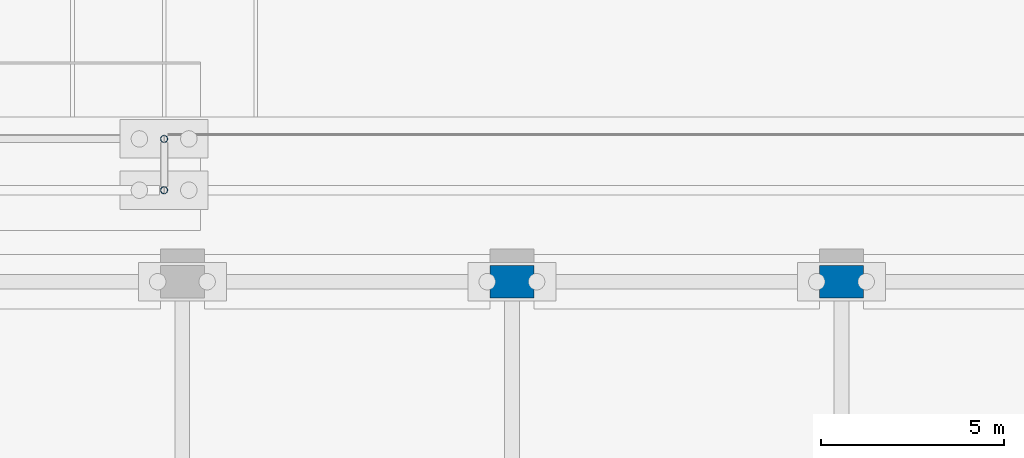
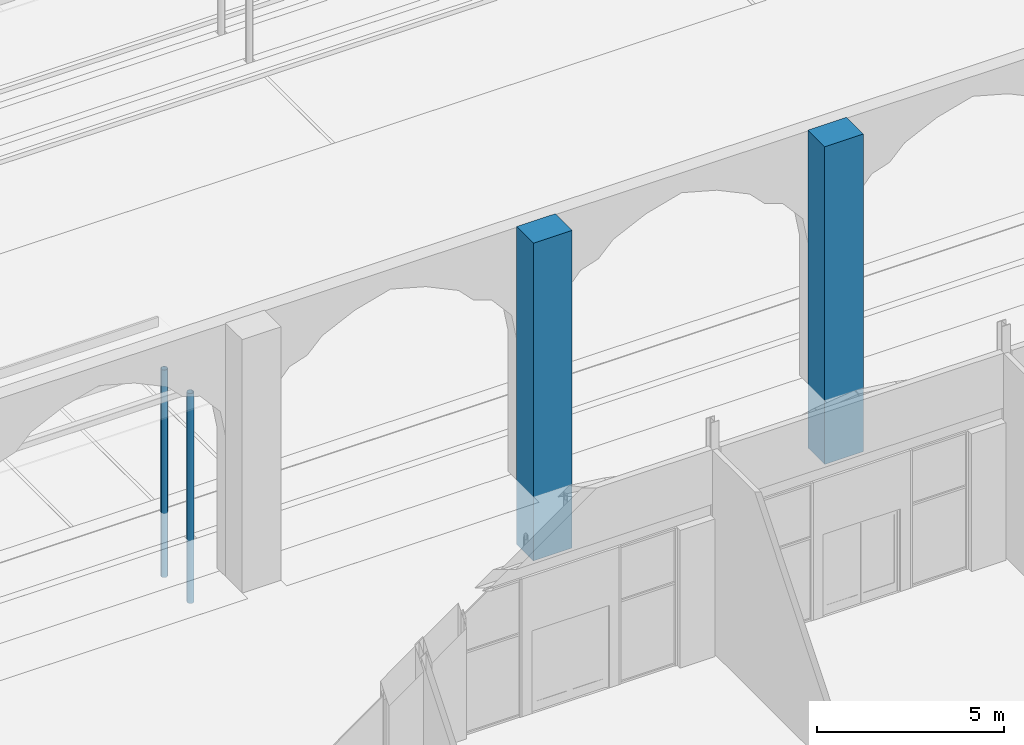
# One storey, part 32 of 250: 4 columns.
"""IFC4 building model written with IfcOpenShell, lengths in metres."""

from ifc_helpers import new_model, si_unit, direction, frame, origin, origin_2d, place, context, subcontext, project, spatial, rectangle, hollow_circle, extrude, material, material_profile, profile_set, type_object, element, save


model = new_model("IFC4")

# Units and contexts
model_context = context("Model", 3, precision=1e-05, world=origin(), true_north=direction((0.0, 1.0)))
body_context = subcontext(model_context, "Body", "Model", "MODEL_VIEW")
ifc_project = project(units=[si_unit("LENGTHUNIT", "METRE"), si_unit("AREAUNIT", "SQUARE_METRE"), si_unit("VOLUMEUNIT", "CUBIC_METRE"), si_unit("PLANEANGLEUNIT", "RADIAN"), si_unit("MASSUNIT", "GRAM", prefix="KILO")], contexts=[model_context])

# Site, building, storey
site_placement = place(None, origin())
site = spatial("IfcSite", under=ifc_project, at=site_placement, CompositionType="ELEMENT")
building_placement = place(site_placement, origin())
building = spatial("IfcBuilding", under=site, at=building_placement, Name="Baradari Gate Terminus", CompositionType="ELEMENT")
storey_placement = place(building_placement, origin())
storey = spatial("IfcBuildingStorey", under=building, at=storey_placement, Name="L00", CompositionType="ELEMENT", Elevation=0.0)

# Columns
ifc_material_1 = material(Name="Concrete C40/50", Category="concrete")
ifc_material_profile_1 = material_profile(ifc_material_1, rectangle(XDim=1.199951171875, YDim=0.89990234375, at=origin_2d()), Name="RC1200X900")
ifc_profile_set_1 = profile_set([ifc_material_profile_1], Name="Concrete C40/50")
column_type_1 = type_object("IfcColumnType", Name="Arcade pier AP01 RC1200X900", PredefinedType="COLUMN", material=ifc_profile_set_1)
for number, where, z_axis, x_axis, name in (
    (1, (207.0, 117.0, -2.10009765625), (0.0, 0.0, 1.0), (1.0, 0.0, 0.0), "AP01 column 24-P L00"),
    (2, (216.0, 117.0, -2.10009765625), (0.0, 0.0, 1.0), (1.0, 0.0, 0.0), "AP01 column 25-P L00"),
):
    element("IfcColumn", number, at=place(storey_placement, frame(where, z_axis=z_axis, x_axis=x_axis)), inside=storey, type_object=column_type_1, Name=name, PredefinedType="COLUMN", context=body_context, shape_type="SweptSolid", body=[
        extrude(rectangle(XDim=1.199951171875, YDim=0.89990234375, at=origin_2d()), origin(), (0.0, 0.0, 1.0), 10.380126953125),
    ])
ifc_material_2 = material(Name="Steel S355", Category="steel")
ifc_material_profile_2 = material_profile(ifc_material_2, hollow_circle(Radius=0.096923828125, WallThickness=0.008056640625, at=origin_2d()), Name="CHS 193.7x8")
ifc_profile_set_2 = profile_set([ifc_material_profile_2], Name="Steel S355")
column_type_2 = type_object("IfcColumnType", Name="Shelter column CHS 193.7x8", PredefinedType="COLUMN", material=ifc_profile_set_2)
column_1_placement = place(storey_placement, frame((197.5, 119.5, -2.10009765625), z_axis=(0.0, 0.0, 1.0), x_axis=(1.0, 0.0, 0.0)))
element("IfcColumn", 3, at=column_1_placement, inside=storey, type_object=column_type_2, Name="Taxi shelter column 3", PredefinedType="COLUMN", context=body_context, shape_type="SweptSolid", body=[
    extrude(hollow_circle(Radius=0.096923828125, WallThickness=0.008056640625, at=origin_2d()), origin(), (0.0, 0.0, 1.0), 6.860107421875),
])
column_2_placement = place(storey_placement, frame((197.5, 120.89990234375, -2.10009765625), z_axis=(0.0, 0.0, 1.0), x_axis=(1.0, 0.0, 0.0)))
element("IfcColumn", 4, at=column_2_placement, inside=storey, type_object=column_type_2, Name="Taxi shelter column 6", PredefinedType="COLUMN", context=body_context, shape_type="SweptSolid", body=[
    extrude(hollow_circle(Radius=0.096923828125, WallThickness=0.008056640625, at=origin_2d()), origin(), (0.0, 0.0, 1.0), 6.776123046875),
])

save(model, "model.ifc")
